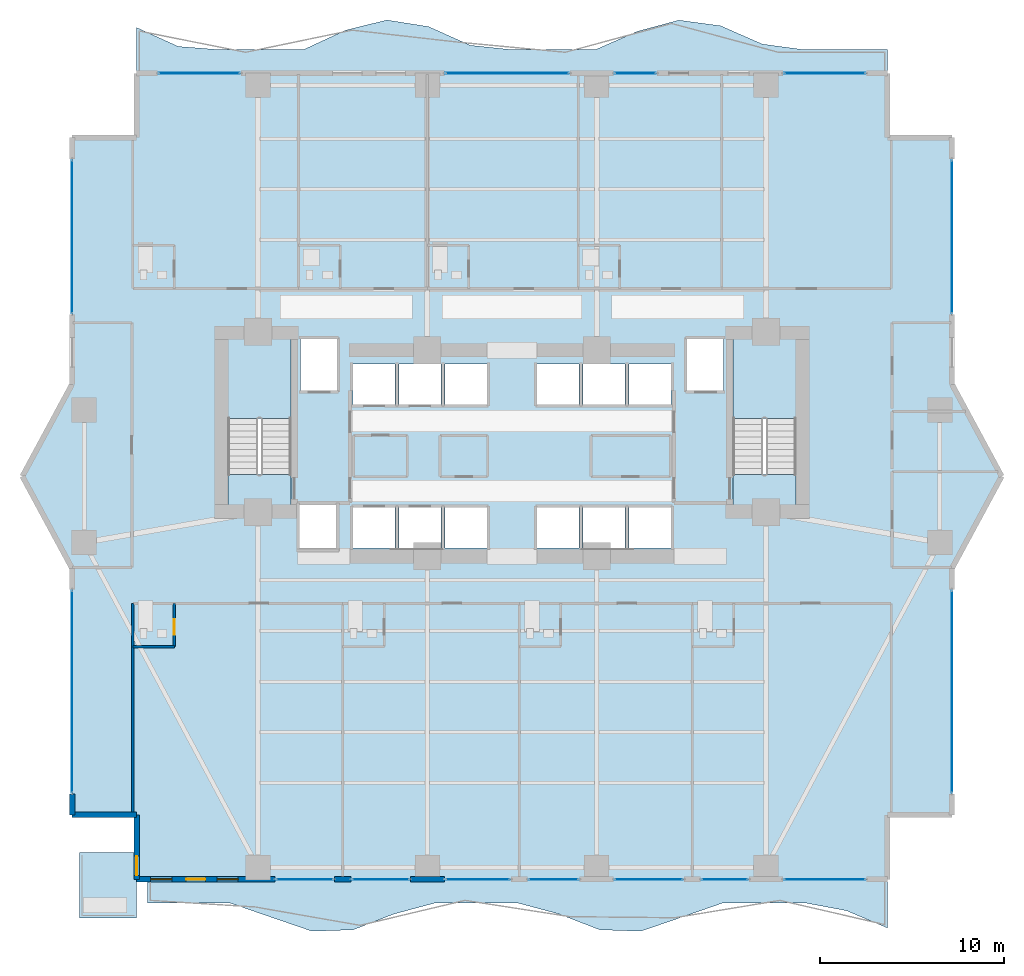
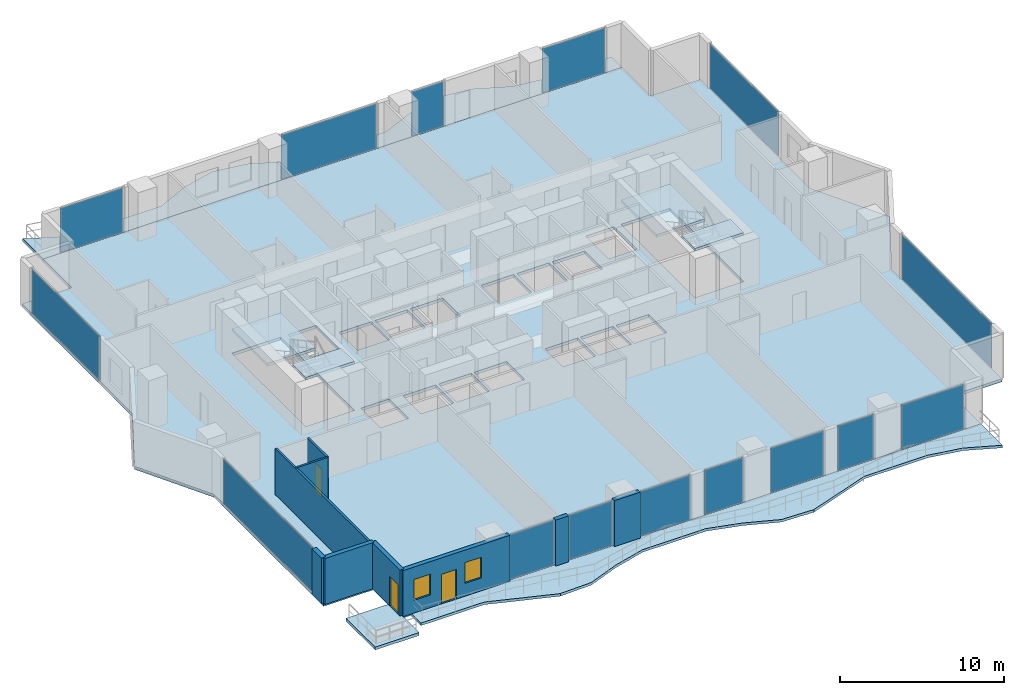
# One storey, part 19 of 27: 15 plates, 9 walls, 8 slabs, 3 doors, 2 windows, 5 openings, 17 elements without a shape of their own.
"""IFC4 building model written with IfcOpenShell, lengths in metres."""

from ifc_helpers import new_model, si_unit, direction, frame, frame_2d, origin, origin_2d, place, context, subcontext, project, spatial, polyline, rectangle, outline, extrude, material, layer, layer_set, type_object, element, fill, aggregate, save


model = new_model("IFC4")

# Units and contexts
model_context = context("Model", 3, precision=1e-05, world=origin(), true_north=direction((0.0, 1.0)))
body_context = subcontext(model_context, "Body", "Model", "MODEL_VIEW")
ifc_project = project(units=[si_unit("LENGTHUNIT", "METRE"), si_unit("AREAUNIT", "SQUARE_METRE"), si_unit("VOLUMEUNIT", "CUBIC_METRE"), si_unit("PLANEANGLEUNIT", "RADIAN"), si_unit("MASSUNIT", "GRAM", prefix="KILO")], contexts=[model_context])

# Site, building, storey
site_placement = place(None, origin())
site = spatial("IfcSite", under=ifc_project, at=site_placement, CompositionType="ELEMENT")
building_placement = place(site_placement, origin())
building = spatial("IfcBuilding", under=site, at=building_placement, Name="Zuhayl Quay Hotel", CompositionType="ELEMENT")
storey_placement = place(building_placement, frame((0.0, 0.0, 117.550048828125)))
storey = spatial("IfcBuildingStorey", under=building, at=storey_placement, Name="L29", CompositionType="ELEMENT", Elevation=117.550048828125)

# Curtain wall, plate
ifc_material_1 = material(Name="Anodised Aluminium 6063-T6", Category="aluminium")
ifc_layer_1 = layer(ifc_material_1, 0.179931640625, Name="Anodised Aluminium 6063-T6", Category="aluminium")
ifc_layer_set_1 = layer_set([ifc_layer_1], Name="Anodised Aluminium 6063-T6")
curtain_wall_type = type_object("IfcCurtainWallType", Name="CW_SYS_Z2", PredefinedType="USERDEFINED", material=ifc_layer_set_1)
curtain_wall_1_placement = place(storey_placement, origin())
curtain_wall_1 = element("IfcCurtainWall", 1, at=curtain_wall_1_placement, inside=storey, type_object=curtain_wall_type, Name="L29 Curtain Wall ENV_L29_E02_CW1", ObjectType="UNITISED CURTAIN WALL", PredefinedType="USERDEFINED")
ifc_material_2 = material(Name="Dark Ceramic-Fritted Solar Glass", Category="glass")
ifc_layer_2 = layer(ifc_material_2, 0.035888671875, Name="Dark Ceramic-Fritted Solar Glass", Category="glass")
ifc_layer_set_2 = layer_set([ifc_layer_2], Name="Dark Ceramic-Fritted Solar Glass")
plate_type = type_object("IfcPlateType", Name="PN_DARK_FRIT_Z1", PredefinedType="CURTAIN_PANEL", material=ifc_layer_set_2)
plate_1_placement = place(storey_placement, frame((-23.89990234375, -5.199951171875, 0.059814453125), z_axis=(0.0, 0.0, 1.0), x_axis=(0.0, 1.0, 0.0)))
plate_1 = element("IfcPlate", 2, at=plate_1_placement, type_object=plate_type, Name="CW-Z2 panel 1.1", PredefinedType="CURTAIN_PANEL", context=body_context, shape_type="SweptSolid", body=[
    extrude(rectangle(XDim=10.969970703125, YDim=0.035888671875, at=origin_2d()), origin(), (0.0, 0.0, 1.0), 3.31005859375),
])
aggregate(curtain_wall_1, [plate_1])

curtain_wall_2_placement = place(storey_placement, origin())
curtain_wall_2 = element("IfcCurtainWall", 3, at=curtain_wall_2_placement, inside=storey, type_object=curtain_wall_type, Name="L29 Curtain Wall ENV_L29_E05_CW1", ObjectType="UNITISED CURTAIN WALL", PredefinedType="USERDEFINED")
plate_2_placement = place(storey_placement, frame((-23.89990234375, 19.52490234375, 0.059814453125), z_axis=(0.0, 0.0, 1.0), x_axis=(0.0, 1.0, 0.0)))
plate_2 = element("IfcPlate", 4, at=plate_2_placement, type_object=plate_type, Name="CW-Z2 panel 1.1", PredefinedType="CURTAIN_PANEL", context=body_context, shape_type="SweptSolid", body=[
    extrude(rectangle(XDim=8.320068359375, YDim=0.035888671875, at=origin_2d()), origin(), (0.0, 0.0, 1.0), 3.31005859375),
])
aggregate(curtain_wall_2, [plate_2])

curtain_wall_3_placement = place(storey_placement, origin())
curtain_wall_3 = element("IfcCurtainWall", 5, at=curtain_wall_3_placement, inside=storey, type_object=curtain_wall_type, Name="L29 Curtain Wall ENV_L29_N_CW1", ObjectType="UNITISED CURTAIN WALL", PredefinedType="USERDEFINED")
plate_3_placement = place(storey_placement, frame((-16.985107421875, 28.39990234375, 0.059814453125), z_axis=(0.0, 0.0, 1.0), x_axis=(1.0, 0.0, 0.0)))
plate_3 = element("IfcPlate", 6, at=plate_3_placement, type_object=plate_type, Name="CW-Z2 panel 1.1", PredefinedType="CURTAIN_PANEL", context=body_context, shape_type="SweptSolid", body=[
    extrude(rectangle(XDim=4.39990234375, YDim=0.035888671875, at=origin_2d()), origin(), (0.0, 0.0, 1.0), 3.31005859375),
])
aggregate(curtain_wall_3, [plate_3])

curtain_wall_4_placement = place(storey_placement, origin())
curtain_wall_4 = element("IfcCurtainWall", 7, at=curtain_wall_4_placement, inside=storey, type_object=curtain_wall_type, Name="L29 Curtain Wall ENV_L29_N_CW2", ObjectType="UNITISED CURTAIN WALL", PredefinedType="USERDEFINED")
plate_4_placement = place(storey_placement, frame((-0.264892578125, 28.39990234375, 0.059814453125), z_axis=(0.0, 0.0, 1.0), x_axis=(1.0, 0.0, 0.0)))
plate_4 = element("IfcPlate", 8, at=plate_4_placement, type_object=plate_type, Name="CW-Z2 panel 1.1", PredefinedType="CURTAIN_PANEL", context=body_context, shape_type="SweptSolid", body=[
    extrude(rectangle(XDim=6.699951171875, YDim=0.035888671875, at=origin_2d()), origin(), (0.0, 0.0, 1.0), 3.31005859375),
])
aggregate(curtain_wall_4, [plate_4])

curtain_wall_5_placement = place(storey_placement, origin())
curtain_wall_5 = element("IfcCurtainWall", 9, at=curtain_wall_5_placement, inside=storey, type_object=curtain_wall_type, Name="L29 Curtain Wall ENV_L29_N_CW3", ObjectType="UNITISED CURTAIN WALL", PredefinedType="USERDEFINED")
plate_5_placement = place(storey_placement, frame((6.702392578125, 28.39990234375, 0.059814453125), z_axis=(0.0, 0.0, 1.0), x_axis=(1.0, 0.0, 0.0)))
plate_5 = element("IfcPlate", 10, at=plate_5_placement, type_object=plate_type, Name="CW-Z2 panel 1.1", PredefinedType="CURTAIN_PANEL", context=body_context, shape_type="SweptSolid", body=[
    extrude(rectangle(XDim=2.235107421875, YDim=0.035888671875, at=origin_2d()), origin(), (0.0, 0.0, 1.0), 3.31005859375),
])
aggregate(curtain_wall_5, [plate_5])

curtain_wall_6_placement = place(storey_placement, origin())
curtain_wall_6 = element("IfcCurtainWall", 11, at=curtain_wall_6_placement, inside=storey, type_object=curtain_wall_type, Name="L29 Curtain Wall ENV_L29_N_CW4", ObjectType="UNITISED CURTAIN WALL", PredefinedType="USERDEFINED")
plate_6_placement = place(storey_placement, frame((16.985107421875, 28.39990234375, 0.059814453125), z_axis=(0.0, 0.0, 1.0), x_axis=(1.0, 0.0, 0.0)))
plate_6 = element("IfcPlate", 12, at=plate_6_placement, type_object=plate_type, Name="CW-Z2 panel 1.1", PredefinedType="CURTAIN_PANEL", context=body_context, shape_type="SweptSolid", body=[
    extrude(rectangle(XDim=4.39990234375, YDim=0.035888671875, at=origin_2d()), origin(), (0.0, 0.0, 1.0), 3.31005859375),
])
aggregate(curtain_wall_6, [plate_6])

curtain_wall_7_placement = place(storey_placement, origin())
curtain_wall_7 = element("IfcCurtainWall", 13, at=curtain_wall_7_placement, inside=storey, type_object=curtain_wall_type, Name="L29 Curtain Wall ENV_L29_E11_CW1", ObjectType="UNITISED CURTAIN WALL", PredefinedType="USERDEFINED")
plate_7_placement = place(storey_placement, frame((23.89990234375, 19.52490234375, 0.059814453125), z_axis=(0.0, 0.0, 1.0), x_axis=(0.0, -1.0, 0.0)))
plate_7 = element("IfcPlate", 14, at=plate_7_placement, type_object=plate_type, Name="CW-Z2 panel 1.1", PredefinedType="CURTAIN_PANEL", context=body_context, shape_type="SweptSolid", body=[
    extrude(rectangle(XDim=8.320068359375, YDim=0.035888671875, at=origin_2d()), origin(), (0.0, 0.0, 1.0), 3.31005859375),
])
aggregate(curtain_wall_7, [plate_7])

curtain_wall_8_placement = place(storey_placement, origin())
curtain_wall_8 = element("IfcCurtainWall", 15, at=curtain_wall_8_placement, inside=storey, type_object=curtain_wall_type, Name="L29 Curtain Wall ENV_L29_E14_CW1", ObjectType="UNITISED CURTAIN WALL", PredefinedType="USERDEFINED")
plate_8_placement = place(storey_placement, frame((23.89990234375, -5.199951171875, 0.059814453125), z_axis=(0.0, 0.0, 1.0), x_axis=(0.0, -1.0, 0.0)))
plate_8 = element("IfcPlate", 16, at=plate_8_placement, type_object=plate_type, Name="CW-Z2 panel 1.1", PredefinedType="CURTAIN_PANEL", context=body_context, shape_type="SweptSolid", body=[
    extrude(rectangle(XDim=10.969970703125, YDim=0.035888671875, at=origin_2d()), origin(), (0.0, 0.0, 1.0), 3.31005859375),
])
aggregate(curtain_wall_8, [plate_8])

curtain_wall_9_placement = place(storey_placement, origin())
curtain_wall_9 = element("IfcCurtainWall", 17, at=curtain_wall_9_placement, inside=storey, type_object=curtain_wall_type, Name="L29 Curtain Wall ENV_L29_S_CW1", ObjectType="UNITISED CURTAIN WALL", PredefinedType="USERDEFINED")
plate_9_placement = place(storey_placement, frame((16.985107421875, -15.39990234375, 0.059814453125), z_axis=(0.0, 0.0, 1.0), x_axis=(-1.0, 0.0, 0.0)))
plate_9 = element("IfcPlate", 18, at=plate_9_placement, type_object=plate_type, Name="CW-Z2 panel 1.1", PredefinedType="CURTAIN_PANEL", context=body_context, shape_type="SweptSolid", body=[
    extrude(rectangle(XDim=4.39990234375, YDim=0.035888671875, at=origin_2d()), origin(), (0.0, 0.0, 1.0), 3.31005859375),
])
aggregate(curtain_wall_9, [plate_9])

curtain_wall_10_placement = place(storey_placement, origin())
curtain_wall_10 = element("IfcCurtainWall", 19, at=curtain_wall_10_placement, inside=storey, type_object=curtain_wall_type, Name="L29 Curtain Wall ENV_L29_S_CW2", ObjectType="UNITISED CURTAIN WALL", PredefinedType="USERDEFINED")
plate_10_placement = place(storey_placement, frame((11.56494140625, -15.39990234375, 0.059814453125), z_axis=(0.0, 0.0, 1.0), x_axis=(-1.0, 0.0, 0.0)))
plate_10 = element("IfcPlate", 20, at=plate_10_placement, type_object=plate_type, Name="CW-Z2 panel 1.1", PredefinedType="CURTAIN_PANEL", context=body_context, shape_type="SweptSolid", body=[
    extrude(rectangle(XDim=2.5, YDim=0.035888671875, at=origin_2d()), origin(), (0.0, 0.0, 1.0), 3.31005859375),
])
aggregate(curtain_wall_10, [plate_10])

curtain_wall_11_placement = place(storey_placement, origin())
curtain_wall_11 = element("IfcCurtainWall", 21, at=curtain_wall_11_placement, inside=storey, type_object=curtain_wall_type, Name="L29 Curtain Wall ENV_L29_S_CW3", ObjectType="UNITISED CURTAIN WALL", PredefinedType="USERDEFINED")
plate_11_placement = place(storey_placement, frame((7.43505859375, -15.39990234375, 0.059814453125), z_axis=(0.0, 0.0, 1.0), x_axis=(-1.0, 0.0, 0.0)))
plate_11 = element("IfcPlate", 22, at=plate_11_placement, type_object=plate_type, Name="CW-Z2 panel 1.1", PredefinedType="CURTAIN_PANEL", context=body_context, shape_type="SweptSolid", body=[
    extrude(rectangle(XDim=3.699951171875, YDim=0.035888671875, at=origin_2d()), origin(), (0.0, 0.0, 1.0), 3.31005859375),
])
aggregate(curtain_wall_11, [plate_11])

curtain_wall_12_placement = place(storey_placement, origin())
curtain_wall_12 = element("IfcCurtainWall", 23, at=curtain_wall_12_placement, inside=storey, type_object=curtain_wall_type, Name="L29 Curtain Wall ENV_L29_S_CW4", ObjectType="UNITISED CURTAIN WALL", PredefinedType="USERDEFINED")
plate_12_placement = place(storey_placement, frame((2.264892578125, -15.39990234375, 0.059814453125), z_axis=(0.0, 0.0, 1.0), x_axis=(-1.0, 0.0, 0.0)))
plate_12 = element("IfcPlate", 24, at=plate_12_placement, type_object=plate_type, Name="CW-Z2 panel 1.1", PredefinedType="CURTAIN_PANEL", context=body_context, shape_type="SweptSolid", body=[
    extrude(rectangle(XDim=2.699951171875, YDim=0.035888671875, at=origin_2d()), origin(), (0.0, 0.0, 1.0), 3.31005859375),
])
aggregate(curtain_wall_12, [plate_12])

curtain_wall_13_placement = place(storey_placement, origin())
curtain_wall_13 = element("IfcCurtainWall", 25, at=curtain_wall_13_placement, inside=storey, type_object=curtain_wall_type, Name="L29 Curtain Wall ENV_L29_S_CW5", ObjectType="UNITISED CURTAIN WALL", PredefinedType="USERDEFINED")
plate_13_placement = place(storey_placement, frame((-1.864990234375, -15.39990234375, 0.059814453125), z_axis=(0.0, 0.0, 1.0), x_axis=(-1.0, 0.0, 0.0)))
plate_13 = element("IfcPlate", 26, at=plate_13_placement, type_object=plate_type, Name="CW-Z2 panel 1.1", PredefinedType="CURTAIN_PANEL", context=body_context, shape_type="SweptSolid", body=[
    extrude(rectangle(XDim=3.5, YDim=0.035888671875, at=origin_2d()), origin(), (0.0, 0.0, 1.0), 3.31005859375),
])
aggregate(curtain_wall_13, [plate_13])

curtain_wall_14_placement = place(storey_placement, origin())
curtain_wall_14 = element("IfcCurtainWall", 27, at=curtain_wall_14_placement, inside=storey, type_object=curtain_wall_type, Name="L29 Curtain Wall ENV_L29_S_CW6", ObjectType="UNITISED CURTAIN WALL", PredefinedType="USERDEFINED")
plate_14_placement = place(storey_placement, frame((-7.135009765625, -15.39990234375, 0.059814453125), z_axis=(0.0, 0.0, 1.0), x_axis=(-1.0, 0.0, 0.0)))
plate_14 = element("IfcPlate", 28, at=plate_14_placement, type_object=plate_type, Name="CW-Z2 panel 1.1", PredefinedType="CURTAIN_PANEL", context=body_context, shape_type="SweptSolid", body=[
    extrude(rectangle(XDim=3.10009765625, YDim=0.035888671875, at=origin_2d()), origin(), (0.0, 0.0, 1.0), 3.31005859375),
])
aggregate(curtain_wall_14, [plate_14])

curtain_wall_15_placement = place(storey_placement, origin())
curtain_wall_15 = element("IfcCurtainWall", 29, at=curtain_wall_15_placement, inside=storey, type_object=curtain_wall_type, Name="L29 Curtain Wall ENV_L29_S_CW7", ObjectType="UNITISED CURTAIN WALL", PredefinedType="USERDEFINED")
plate_15_placement = place(storey_placement, frame((-11.264892578125, -15.39990234375, 0.059814453125), z_axis=(0.0, 0.0, 1.0), x_axis=(-1.0, 0.0, 0.0)))
plate_15 = element("IfcPlate", 30, at=plate_15_placement, type_object=plate_type, Name="CW-Z2 panel 1.1", PredefinedType="CURTAIN_PANEL", context=body_context, shape_type="SweptSolid", body=[
    extrude(rectangle(XDim=3.10009765625, YDim=0.035888671875, at=origin_2d()), origin(), (0.0, 0.0, 1.0), 3.31005859375),
])
aggregate(curtain_wall_15, [plate_15])

# Slabs
ifc_material_3 = material(Name="Concrete C45/55", Category="concrete")
ifc_layer_3 = layer(ifc_material_3, 0.195068359375, Name="Concrete C45/55", Category="concrete")
ifc_layer_set_3 = layer_set([ifc_layer_3], Name="Concrete C45/55")
slab_type_1 = type_object("IfcSlabType", Name="SL_BALCONY_195", PredefinedType="FLOOR", material=ifc_layer_set_3)
slab_1_placement = place(storey_placement, frame((0.0, 0.0, -0.195068359375)))
element("IfcSlab", 31, at=slab_1_placement, inside=storey, type_object=slab_type_1, Name="L29 Exterior Rippling Balcony Slab North", PredefinedType="FLOOR", context=body_context, shape_type="SweptSolid", body=[
    extrude(outline(polyline([(-20.39990234375, 28.39990234375), (20.39990234375, 28.39990234375), (20.39990234375, 29.679931640625), (18.13330078125, 29.679931640625), (15.86669921875, 29.679931640625), (13.60009765625, 29.984619140625), (11.333251953125, 30.97900390625), (9.066650390625, 31.28466796875), (6.800048828125, 30.675048828125), (4.533203125, 29.679931640625), (2.2666015625, 29.679931640625), (0.0, 29.679931640625), (-2.2666015625, 29.919189453125), (-4.533203125, 30.933837890625), (-6.800048828125, 31.293212890625), (-9.066650390625, 30.730712890625), (-11.333251953125, 29.679931640625), (-13.60009765625, 29.679931640625), (-15.86669921875, 29.679931640625), (-18.13330078125, 29.8544921875), (-20.39990234375, 30.886474609375), (-20.39990234375, 28.39990234375)])), origin(), (0.0, 0.0, 1.0), 0.195068359375),
])
slab_2_placement = place(storey_placement, frame((0.0, 0.0, -0.195068359375)))
element("IfcSlab", 32, at=slab_2_placement, inside=storey, type_object=slab_type_1, Name="L29 Exterior Rippling Balcony Slab South", PredefinedType="FLOOR", context=body_context, shape_type="SweptSolid", body=[
    extrude(outline(polyline([(-19.800048828125, -16.679931640625), (-17.566650390625, -16.679931640625), (-15.333251953125, -16.679931640625), (-13.10009765625, -17.451904296875), (-10.86669921875, -18.217041015625), (-8.63330078125, -18.140625), (-6.39990234375, -17.27783203125), (-4.166748046875, -16.679931640625), (-1.933349609375, -16.679931640625), (0.300048828125, -16.679931640625), (2.533203125, -17.27783203125), (4.7666015625, -18.140625), (7.0, -18.217041015625), (9.2333984375, -17.451904296875), (11.466796875, -16.679931640625), (13.699951171875, -16.679931640625), (15.933349609375, -16.679931640625), (18.166748046875, -17.09912109375), (20.39990234375, -18.041748046875), (20.39990234375, -15.39990234375), (-19.800048828125, -15.39990234375), (-19.800048828125, -16.679931640625)])), origin(), (0.0, 0.0, 1.0), 0.195068359375),
])
ifc_layer_4 = layer(ifc_material_3, 0.219970703125, Name="Concrete C45/55", Category="concrete")
ifc_layer_set_4 = layer_set([ifc_layer_4], Name="Concrete C45/55")
slab_type_2 = type_object("IfcSlabType", Name="SL_FLOOR_220", PredefinedType="FLOOR", material=ifc_layer_set_4)
slab_3_placement = place(storey_placement, frame((0.0, 0.0, -0.219970703125)))
element("IfcSlab", 33, at=slab_3_placement, inside=storey, type_object=slab_type_2, Name="L29 Structural Floor Slab", PredefinedType="FLOOR", context=body_context, shape_type="SweptSolid", body=[
    extrude(outline(polyline([(-20.39990234375, -15.39990234375), (20.39990234375, -15.39990234375), (20.39990234375, -11.89990234375), (23.89990234375, -11.89990234375), (23.89990234375, 1.5), (26.60009765625, 6.5), (23.89990234375, 11.5), (23.89990234375, 24.89990234375), (20.39990234375, 24.89990234375), (20.39990234375, 28.39990234375), (-20.39990234375, 28.39990234375), (-20.39990234375, 24.89990234375), (-23.89990234375, 24.89990234375), (-23.89990234375, 11.5), (-26.60009765625, 6.5), (-23.89990234375, 1.5), (-23.89990234375, -11.89990234375), (-20.39990234375, -11.89990234375), (-20.39990234375, -15.39990234375)]), holes=[polyline([(-12.0, 4.949951171875), (-12.0, 13.949951171875), (-15.429931640625, 13.949951171875), (-15.429931640625, 4.949951171875), (-12.0, 4.949951171875)]), polyline([(15.429931640625, 4.949951171875), (15.429931640625, 13.949951171875), (12.0, 13.949951171875), (12.0, 4.949951171875), (15.429931640625, 4.949951171875)]), polyline([(-11.5, 11.14990234375), (-9.5, 11.14990234375), (-9.5, 13.949951171875), (-11.5, 13.949951171875), (-11.5, 11.14990234375)]), polyline([(9.5, 11.14990234375), (11.5, 11.14990234375), (11.5, 13.949951171875), (9.5, 13.949951171875), (9.5, 11.14990234375)]), polyline([(-8.64990234375, 2.60009765625), (-6.35009765625, 2.60009765625), (-6.35009765625, 4.800048828125), (-8.64990234375, 4.800048828125), (-8.64990234375, 2.60009765625)]), polyline([(-6.14990234375, 2.60009765625), (-3.85009765625, 2.60009765625), (-3.85009765625, 4.800048828125), (-6.14990234375, 4.800048828125), (-6.14990234375, 2.60009765625)]), polyline([(-8.64990234375, 10.39990234375), (-6.35009765625, 10.39990234375), (-6.35009765625, 12.60009765625), (-8.64990234375, 12.60009765625), (-8.64990234375, 10.39990234375)]), polyline([(-6.14990234375, 10.39990234375), (-3.85009765625, 10.39990234375), (-3.85009765625, 12.60009765625), (-6.14990234375, 12.60009765625), (-6.14990234375, 10.39990234375)]), polyline([(-3.64990234375, 2.60009765625), (-1.35009765625, 2.60009765625), (-1.35009765625, 4.800048828125), (-3.64990234375, 4.800048828125), (-3.64990234375, 2.60009765625)]), polyline([(1.35009765625, 2.60009765625), (3.64990234375, 2.60009765625), (3.64990234375, 4.800048828125), (1.35009765625, 4.800048828125), (1.35009765625, 2.60009765625)]), polyline([(-3.64990234375, 10.39990234375), (-1.35009765625, 10.39990234375), (-1.35009765625, 12.60009765625), (-3.64990234375, 12.60009765625), (-3.64990234375, 10.39990234375)]), polyline([(1.35009765625, 10.39990234375), (3.64990234375, 10.39990234375), (3.64990234375, 12.60009765625), (1.35009765625, 12.60009765625), (1.35009765625, 10.39990234375)]), polyline([(3.85009765625, 2.60009765625), (6.14990234375, 2.60009765625), (6.14990234375, 4.800048828125), (3.85009765625, 4.800048828125), (3.85009765625, 2.60009765625)]), polyline([(6.35009765625, 2.60009765625), (8.64990234375, 2.60009765625), (8.64990234375, 4.800048828125), (6.35009765625, 4.800048828125), (6.35009765625, 2.60009765625)]), polyline([(3.85009765625, 10.39990234375), (6.14990234375, 10.39990234375), (6.14990234375, 12.60009765625), (3.85009765625, 12.60009765625), (3.85009765625, 10.39990234375)]), polyline([(6.35009765625, 10.39990234375), (8.64990234375, 10.39990234375), (8.64990234375, 12.60009765625), (6.35009765625, 12.60009765625), (6.35009765625, 10.39990234375)]), polyline([(-11.550048828125, 2.550048828125), (-9.550048828125, 2.550048828125), (-9.550048828125, 4.949951171875), (-11.550048828125, 4.949951171875), (-11.550048828125, 2.550048828125)])]), origin(), (0.0, 0.0, 1.0), 0.219970703125),
])

# Stair, slabs
stair_type = type_object("IfcStairType", Name="ST_DOGLEG_TOWER", PredefinedType="HALF_TURN_STAIR", material=ifc_material_3)
stair_1_placement = place(storey_placement, origin())
stair_1 = element("IfcStair", 34, at=stair_1_placement, inside=storey, type_object=stair_type, Name="L29 Smokeproof Exit Stair ST1", PredefinedType="HALF_TURN_STAIR")
ifc_layer_5 = layer(ifc_material_3, 0.199951171875, Name="Concrete C45/55", Category="concrete")
ifc_layer_set_5 = layer_set([ifc_layer_5], Name="Concrete C45/55")
slab_type_3 = type_object("IfcSlabType", Name="SL_STAIR_LANDING_200", PredefinedType="LANDING", material=ifc_layer_set_5)
slab_4_placement = place(storey_placement, frame((0.0, 0.0, 1.625)))
slab_4 = element("IfcSlab", 35, at=slab_4_placement, type_object=slab_type_3, Name="ST1 landing 1", PredefinedType="LANDING", context=body_context, shape_type="SweptSolid", body=[
    extrude(outline(polyline([(-12.0, 9.64990234375), (-12.0, 13.949951171875), (-15.429931640625, 13.949951171875), (-15.429931640625, 9.64990234375), (-12.0, 9.64990234375)])), origin(), (0.0, 0.0, 1.0), 0.199951171875),
])
slab_5_placement = place(storey_placement, frame((0.0, 0.0, 3.449951171875)))
slab_5 = element("IfcSlab", 36, at=slab_5_placement, type_object=slab_type_3, Name="ST1 landing 2", PredefinedType="LANDING", context=body_context, shape_type="SweptSolid", body=[
    extrude(outline(polyline([(-12.0, 4.949951171875), (-12.0, 6.590087890625), (-15.429931640625, 6.590087890625), (-15.429931640625, 4.949951171875), (-12.0, 4.949951171875)])), origin(), (0.0, 0.0, 1.0), 0.199951171875),
])
aggregate(stair_1, [slab_4, slab_5])

stair_2_placement = place(storey_placement, origin())
stair_2 = element("IfcStair", 37, at=stair_2_placement, inside=storey, type_object=stair_type, Name="L29 Smokeproof Exit Stair ST2", PredefinedType="HALF_TURN_STAIR")
slab_6_placement = place(storey_placement, frame((0.0, 0.0, 1.625)))
slab_6 = element("IfcSlab", 38, at=slab_6_placement, type_object=slab_type_3, Name="ST2 landing 1", PredefinedType="LANDING", context=body_context, shape_type="SweptSolid", body=[
    extrude(outline(polyline([(15.429931640625, 9.64990234375), (15.429931640625, 13.949951171875), (12.0, 13.949951171875), (12.0, 9.64990234375), (15.429931640625, 9.64990234375)])), origin(), (0.0, 0.0, 1.0), 0.199951171875),
])
slab_7_placement = place(storey_placement, frame((0.0, 0.0, 3.449951171875)))
slab_7 = element("IfcSlab", 39, at=slab_7_placement, type_object=slab_type_3, Name="ST2 landing 2", PredefinedType="LANDING", context=body_context, shape_type="SweptSolid", body=[
    extrude(outline(polyline([(15.429931640625, 4.949951171875), (15.429931640625, 6.590087890625), (12.0, 6.590087890625), (12.0, 4.949951171875), (15.429931640625, 4.949951171875)])), origin(), (0.0, 0.0, 1.0), 0.199951171875),
])
aggregate(stair_2, [slab_6, slab_7])

# Slab
ifc_layer_6 = layer(ifc_material_3, 0.219970703125, Name="Concrete C45/55", Category="concrete")
ifc_layer_set_6 = layer_set([ifc_layer_6], Name="Concrete C45/55")
slab_type_4 = type_object("IfcSlabType", Name="SL_TERRACE_235", PredefinedType="FLOOR", material=ifc_layer_set_6)
slab_8_placement = place(storey_placement, frame((0.0, 0.0, -0.219970703125)))
element("IfcSlab", 40, at=slab_8_placement, inside=storey, type_object=slab_type_4, Name="L29 Exterior Sky-Terrace Slab L29_SPIRAL_SW", PredefinedType="FLOOR", context=body_context, shape_type="SweptSolid", body=[
    extrude(outline(polyline([(-23.5, -17.5), (-20.39990234375, -17.5), (-20.39990234375, -13.949951171875), (-23.5, -13.949951171875), (-23.5, -17.5)])), origin(), (0.0, 0.0, 1.0), 0.219970703125),
])

# Walls
ifc_material_4 = material(Name="Precast concrete C45/55", Category="concrete")
ifc_layer_7 = layer(ifc_material_4, 0.300048828125, Name="Precast concrete C45/55", Category="concrete")
ifc_layer_set_7 = layer_set([ifc_layer_7], Name="Precast concrete C45/55")
wall_type_1 = type_object("IfcWallType", Name="WL_EXT_300", PredefinedType="STANDARD", material=ifc_layer_set_7)
wall_1_placement = place(storey_placement, frame((-20.39990234375, -11.89990234375, 0.0), z_axis=(0.0, 0.0, 1.0), x_axis=(-1.0, 0.0, 0.0)))
element("IfcWall", 41, at=wall_1_placement, inside=storey, type_object=wall_type_1, Name="L29 Exterior Precast Wall ENV_L29_EW01", PredefinedType="STANDARD", context=body_context, shape_type="SweptSolid", body=[
    extrude(rectangle(XDim=3.5, YDim=0.300048828125, at=frame_2d((1.75, 0.0))), origin(), (0.0, 0.0, 1.0), 3.429931640625),
])
wall_2_placement = place(storey_placement, frame((-23.89990234375, -11.89990234375, 0.0), z_axis=(0.0, 0.0, 1.0), x_axis=(0.0, 1.0, 0.0)))
element("IfcWall", 42, at=wall_2_placement, inside=storey, type_object=wall_type_1, Name="L29 Exterior Precast Wall ENV_L29_E02_EW1", PredefinedType="STANDARD", context=body_context, shape_type="SweptSolid", body=[
    extrude(rectangle(XDim=1.14990234375, YDim=0.300048828125, at=frame_2d((0.574951171875, 0.0))), origin(), (0.0, 0.0, 1.0), 3.429931640625),
])
wall_3_placement = place(storey_placement, frame((-3.679931640625, -15.39990234375, 0.0), z_axis=(0.0, 0.0, 1.0), x_axis=(-1.0, 0.0, 0.0)))
element("IfcWall", 43, at=wall_3_placement, inside=storey, type_object=wall_type_1, Name="L29 Exterior Precast Wall ENV_L29_S_EW6", PredefinedType="STANDARD", context=body_context, shape_type="SweptSolid", body=[
    extrude(rectangle(XDim=1.840087890625, YDim=0.300048828125, at=frame_2d((0.919921875, 0.0))), origin(), (0.0, 0.0, 1.0), 3.429931640625),
])
wall_4_placement = place(storey_placement, frame((-8.75, -15.39990234375, 0.0), z_axis=(0.0, 0.0, 1.0), x_axis=(-1.0, 0.0, 0.0)))
element("IfcWall", 44, at=wall_4_placement, inside=storey, type_object=wall_type_1, Name="L29 Exterior Precast Wall ENV_L29_S_EW7", PredefinedType="STANDARD", context=body_context, shape_type="SweptSolid", body=[
    extrude(rectangle(XDim=0.89990234375, YDim=0.300048828125, at=frame_2d((0.449951171875, 0.0))), origin(), (0.0, 0.0, 1.0), 3.429931640625),
])

# Wall, openings, door, windows
wall_5_placement = place(storey_placement, frame((-12.8798828125, -15.39990234375, 0.0), z_axis=(0.0, 0.0, 1.0), x_axis=(-1.0, 0.0, 0.0)))
wall_5 = element("IfcWall", 45, at=wall_5_placement, inside=storey, type_object=wall_type_1, Name="L29 Exterior Precast Wall ENV_L29_S_EW8", PredefinedType="STANDARD", context=body_context, shape_type="SweptSolid", body=[
    extrude(rectangle(XDim=7.52001953125, YDim=0.300048828125, at=frame_2d((3.760009765625, 0.0))), origin(), (0.0, 0.0, 1.0), 3.429931640625),
])
opening_1_placement = place(wall_5_placement, frame((3.77490234375, 0.0, 0.0)))
opening_1 = element("IfcOpeningElement", 46, at=opening_1_placement, cuts=wall_5, Name="Opening DG1", PredefinedType="OPENING", context=body_context, shape_type="SweptSolid", body=[
    extrude(rectangle(XDim=1.050048828125, YDim=2.199951171875, at=frame_2d((0.52490234375, 1.10009765625))), frame((0.0, 0.159912109375, 0.0), z_axis=(0.0, -1.0, 0.0), x_axis=(1.0, 0.0, 0.0)), (0.0, 0.0, 1.0), 0.320068359375),
])
opening_2_placement = place(wall_5_placement, frame((1.99755859375, 0.0, 0.949951171875)))
opening_2 = element("IfcOpeningElement", 47, at=opening_2_placement, cuts=wall_5, Name="Opening W01N", PredefinedType="OPENING", context=body_context, shape_type="SweptSolid", body=[
    extrude(rectangle(XDim=1.14990234375, YDim=1.550048828125, at=frame_2d((0.574951171875, 0.77490234375))), frame((0.0, 0.159912109375, 0.0), z_axis=(0.0, -1.0, 0.0), x_axis=(1.0, 0.0, 0.0)), (0.0, 0.0, 1.0), 0.320068359375),
])
opening_3_placement = place(wall_5_placement, frame((5.6025390625, 0.0, 0.949951171875)))
opening_3 = element("IfcOpeningElement", 48, at=opening_3_placement, cuts=wall_5, Name="Opening W01N", PredefinedType="OPENING", context=body_context, shape_type="SweptSolid", body=[
    extrude(rectangle(XDim=1.14990234375, YDim=1.550048828125, at=frame_2d((0.574951171875, 0.77490234375))), frame((0.0, 0.159912109375, 0.0), z_axis=(0.0, -1.0, 0.0), x_axis=(1.0, 0.0, 0.0)), (0.0, 0.0, 1.0), 0.320068359375),
])
ifc_material_5 = material(Name="Anodised Aluminium and Dark Solar Glass", Category="aluminium")
door_type_1 = type_object("IfcDoorType", Name="DR_EXT_TERR_1050", OperationType="NOTDEFINED", PredefinedType="DOOR", material=ifc_material_5)
door_1_placement = place(opening_1_placement, origin())
door_1 = element("IfcDoor", 49, at=door_1_placement, inside=storey, type_object=door_type_1, Name="L29 South Rippling Balcony Door", OperationType="SINGLE_SWING_RIGHT", OverallHeight=2.199951171875, OverallWidth=1.050048828125, PredefinedType="DOOR", context=body_context, shape_type="SweptSolid", body=[
    extrude(rectangle(XDim=1.050048828125, YDim=2.199951171875, at=frame_2d((0.52490234375, 1.10009765625))), frame((0.0, 0.02490234375, 0.0), z_axis=(0.0, -1.0, 0.0), x_axis=(1.0, 0.0, 0.0)), (0.0, 0.0, 1.0), 0.050048828125),
])
fill(opening_1, door_1)
window_type = type_object("IfcWindowType", Name="WN_NOTCH_1350", PartitioningType="SINGLE_PANEL", PredefinedType="WINDOW", material=ifc_material_2)
window_1_placement = place(opening_2_placement, origin())
window_1 = element("IfcWindow", 50, at=window_1_placement, inside=storey, type_object=window_type, Name="L29 Operable Facade Window 8-1", OverallHeight=1.550048828125, OverallWidth=1.14990234375, PartitioningType="SINGLE_PANEL", PredefinedType="WINDOW", context=body_context, shape_type="SweptSolid", body=[
    extrude(rectangle(XDim=1.14990234375, YDim=1.550048828125, at=frame_2d((0.574951171875, 0.77490234375))), frame((0.0, 0.030029296875, 0.0), z_axis=(0.0, -1.0, 0.0), x_axis=(1.0, 0.0, 0.0)), (0.0, 0.0, 1.0), 0.06005859375),
])
fill(opening_2, window_1)
window_2_placement = place(opening_3_placement, origin())
window_2 = element("IfcWindow", 51, at=window_2_placement, inside=storey, type_object=window_type, Name="L29 Operable Facade Window 8-2", OverallHeight=1.550048828125, OverallWidth=1.14990234375, PartitioningType="SINGLE_PANEL", PredefinedType="WINDOW", context=body_context, shape_type="SweptSolid", body=[
    extrude(rectangle(XDim=1.14990234375, YDim=1.550048828125, at=frame_2d((0.574951171875, 0.77490234375))), frame((0.0, 0.030029296875, 0.0), z_axis=(0.0, -1.0, 0.0), x_axis=(1.0, 0.0, 0.0)), (0.0, 0.0, 1.0), 0.06005859375),
])
fill(opening_3, window_2)

# Wall, opening, door
wall_6_placement = place(storey_placement, frame((-20.39990234375, -15.39990234375, 0.0), z_axis=(0.0, 0.0, 1.0), x_axis=(0.0, 1.0, 0.0)))
wall_6 = element("IfcWall", 52, at=wall_6_placement, inside=storey, type_object=wall_type_1, Name="L29 Exterior Precast Wall ENV_L29_SP_SW", PredefinedType="STANDARD", context=body_context, shape_type="SweptSolid", body=[
    extrude(rectangle(XDim=3.5, YDim=0.300048828125, at=frame_2d((1.75, 0.0))), origin(), (0.0, 0.0, 1.0), 3.429931640625),
])
opening_4_placement = place(wall_6_placement, frame((0.219970703125, 0.0, 0.0)))
opening_4 = element("IfcOpeningElement", 53, at=opening_4_placement, cuts=wall_6, Name="Opening DG1", PredefinedType="OPENING", context=body_context, shape_type="SweptSolid", body=[
    extrude(rectangle(XDim=1.050048828125, YDim=2.199951171875, at=frame_2d((0.52490234375, 1.10009765625))), frame((0.0, 0.159912109375, 0.0), z_axis=(0.0, -1.0, 0.0), x_axis=(1.0, 0.0, 0.0)), (0.0, 0.0, 1.0), 0.320068359375),
])
door_2_placement = place(opening_4_placement, origin())
door_2 = element("IfcDoor", 54, at=door_2_placement, inside=storey, type_object=door_type_1, Name="L29 Spiral Sky-Terrace SW Access Door", OperationType="SINGLE_SWING_LEFT", OverallHeight=2.199951171875, OverallWidth=1.050048828125, PredefinedType="DOOR", context=body_context, shape_type="SweptSolid", body=[
    extrude(rectangle(XDim=1.050048828125, YDim=2.199951171875, at=frame_2d((0.52490234375, 1.10009765625))), frame((0.0, 0.02490234375, 0.0), z_axis=(0.0, -1.0, 0.0), x_axis=(1.0, 0.0, 0.0)), (0.0, 0.0, 1.0), 0.050048828125),
])
fill(opening_4, door_2)

# Wall
ifc_material_6 = material(Name="Acoustic Gypsum Partition STC-58")
ifc_layer_8 = layer(ifc_material_6, 0.14990234375, Name="Acoustic Gypsum Partition STC-58")
ifc_layer_set_8 = layer_set([ifc_layer_8], Name="Acoustic Gypsum Partition STC-58")
wall_type_2 = type_object("IfcWallType", Name="WL_PART_150", PredefinedType="PARTITIONING", material=ifc_layer_set_8)
wall_7_placement = place(storey_placement, frame((-20.60009765625, -11.89990234375, 0.0), z_axis=(0.0, 0.0, 1.0), x_axis=(0.0, 1.0, 0.0)))
element("IfcWall", 55, at=wall_7_placement, inside=storey, type_object=wall_type_2, Name="L29 Partition IW_L29_SU01_W", PredefinedType="PARTITIONING", context=body_context, shape_type="SweptSolid", body=[
    extrude(rectangle(XDim=11.5, YDim=0.14990234375, at=frame_2d((5.75, 0.0))), origin(), (0.0, 0.0, 1.0), 3.429931640625),
])

# Wall, opening, door
ifc_material_7 = material(Name="Moisture-Resistant Sanitarychase Gypsum")
ifc_layer_9 = layer(ifc_material_7, 0.135009765625, Name="Moisture-Resistant Sanitarychase Gypsum")
ifc_layer_set_9 = layer_set([ifc_layer_9], Name="Moisture-Resistant Sanitarychase Gypsum")
wall_type_3 = type_object("IfcWallType", Name="WL_PART_PLUMB_150", PredefinedType="PLUMBINGWALL", material=ifc_layer_set_9)
wall_8_placement = place(storey_placement, frame((-18.340087890625, -2.760009765625, 0.0), z_axis=(0.0, 0.0, 1.0), x_axis=(0.0, 1.0, 0.0)))
wall_8 = element("IfcWall", 56, at=wall_8_placement, inside=storey, type_object=wall_type_3, Name="L29 Partition IW_L29_SU01_BE", PredefinedType="PLUMBINGWALL", context=body_context, shape_type="SweptSolid", body=[
    extrude(rectangle(XDim=2.360107421875, YDim=0.135009765625, at=frame_2d((1.18017578125, 0.0))), origin(), (0.0, 0.0, 1.0), 3.429931640625),
])
opening_5_placement = place(wall_8_placement, frame((0.64990234375, 0.0, 0.0)))
opening_5 = element("IfcOpeningElement", 57, at=opening_5_placement, cuts=wall_8, Name="Opening D04", PredefinedType="OPENING", context=body_context, shape_type="SweptSolid", body=[
    extrude(rectangle(XDim=0.85009765625, YDim=2.10009765625, at=frame_2d((0.425048828125, 1.050048828125))), frame((0.0, 0.077392578125, 0.0), z_axis=(0.0, -1.0, 0.0), x_axis=(1.0, 0.0, 0.0)), (0.0, 0.0, 1.0), 0.155029296875),
])
ifc_material_8 = material(Name="Moisture-Resistant Walnut Veneer")
door_type_2 = type_object("IfcDoorType", Name="DR_BATH_850", OperationType="NOTDEFINED", PredefinedType="DOOR", material=ifc_material_8)
door_3_placement = place(opening_5_placement, origin())
door_3 = element("IfcDoor", 58, at=door_3_placement, inside=storey, type_object=door_type_2, Name="L29 City-View Junior Suite L29-01 En-Suite Door", OperationType="SINGLE_SWING_LEFT", OverallHeight=2.10009765625, OverallWidth=0.85009765625, PredefinedType="DOOR", context=body_context, shape_type="SweptSolid", body=[
    extrude(rectangle(XDim=0.85009765625, YDim=2.10009765625, at=frame_2d((0.425048828125, 1.050048828125))), frame((0.0, 0.02490234375, 0.0), z_axis=(0.0, -1.0, 0.0), x_axis=(1.0, 0.0, 0.0)), (0.0, 0.0, 1.0), 0.050048828125),
])
fill(opening_5, door_3)

# Wall
wall_9_placement = place(storey_placement, frame((-20.60009765625, -2.760009765625, 0.0), z_axis=(0.0, 0.0, 1.0), x_axis=(1.0, 0.0, 0.0)))
element("IfcWall", 59, at=wall_9_placement, inside=storey, type_object=wall_type_3, Name="L29 Partition IW_L29_SU01_BS", PredefinedType="PLUMBINGWALL", context=body_context, shape_type="SweptSolid", body=[
    extrude(rectangle(XDim=2.260009765625, YDim=0.135009765625, at=frame_2d((1.1298828125, 0.0))), origin(), (0.0, 0.0, 1.0), 3.429931640625),
])

save(model, "model.ifc")
